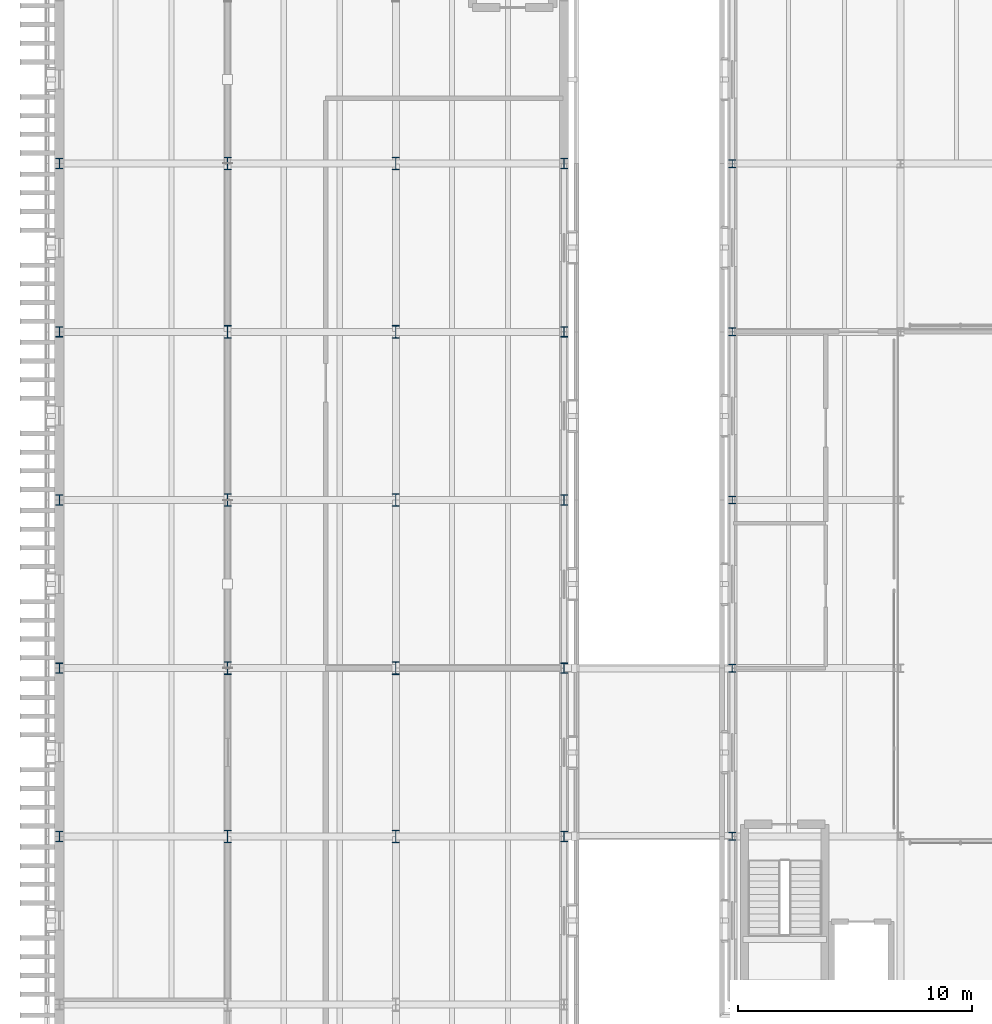
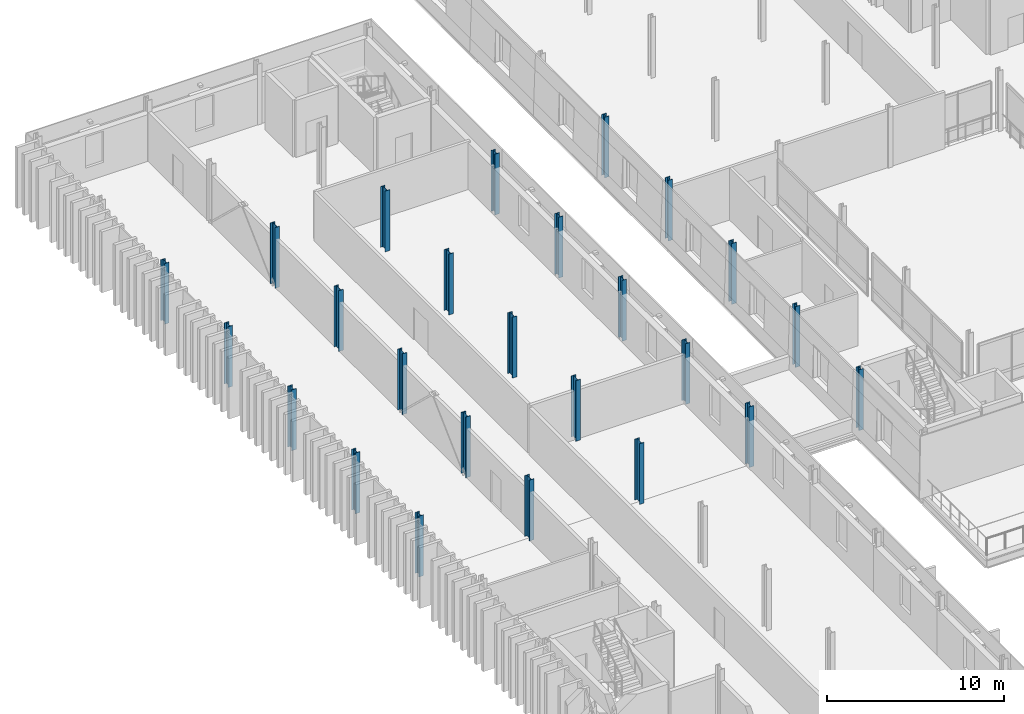
# One storey, part 5 of 91: 25 columns.
"""IFC4 building model written with IfcOpenShell, lengths in metres."""

from ifc_helpers import new_model, si_unit, direction, frame, origin, origin_2d, place, context, subcontext, project, spatial, i_section, extrude, material, material_profile, profile_set, type_object, element, save


model = new_model("IFC4")

# Units and contexts
model_context = context("Model", 3, precision=1e-05, world=origin(), true_north=direction((0.0, 1.0)))
body_context = subcontext(model_context, "Body", "Model", "MODEL_VIEW")
ifc_project = project(units=[si_unit("LENGTHUNIT", "METRE"), si_unit("AREAUNIT", "SQUARE_METRE"), si_unit("VOLUMEUNIT", "CUBIC_METRE"), si_unit("PLANEANGLEUNIT", "RADIAN"), si_unit("MASSUNIT", "GRAM", prefix="KILO")], contexts=[model_context])

# Site, building, storey
site_placement = place(None, origin())
site = spatial("IfcSite", under=ifc_project, at=site_placement, CompositionType="ELEMENT")
building_placement = place(site_placement, origin())
building = spatial("IfcBuilding", under=site, at=building_placement, Name="Narikvali Park Central Library", CompositionType="ELEMENT")
storey_placement = place(building_placement, frame((0.0, 0.0, 14.39990234375)))
storey = spatial("IfcBuildingStorey", under=building, at=storey_placement, Name="L03", CompositionType="ELEMENT", Elevation=14.39990234375)

# Columns
ifc_material = material(Name="Steel S355", Category="steel")
ifc_material_profile_1 = material_profile(ifc_material, i_section(OverallWidth=0.300048828125, OverallDepth=0.340087890625, WebThickness=0.011962890625, FlangeThickness=0.021484375, FilletRadius=0.027099609375, at=origin_2d()), Name="HEB 340")
ifc_profile_set_1 = profile_set([ifc_material_profile_1], Name="Steel S355")
column_type_1 = type_object("IfcColumnType", Name="Steel Column HEB340", PredefinedType="COLUMN", material=ifc_profile_set_1)
for number, where, z_axis, x_axis, name in (
    (1, (28.800048828125, 64.800048828125, 0.0), (0.0, 0.0, 1.0), (1.0, 0.0, 0.0), "V4 L03 Column (28.8,64.8)"),
    (2, (28.800048828125, 72.0, 0.0), (0.0, 0.0, 1.0), (1.0, 0.0, 0.0), "V4 L03 Column (28.8,72.0)"),
    (3, (28.800048828125, 79.199951171875, 0.0), (0.0, 0.0, 1.0), (1.0, 0.0, 0.0), "V4 L03 Column (28.8,79.2)"),
    (4, (28.800048828125, 86.39990234375, 0.0), (0.0, 0.0, 1.0), (1.0, 0.0, 0.0), "V4 L03 Column (28.8,86.4)"),
    (5, (28.800048828125, 93.60009765625, 0.0), (0.0, 0.0, 1.0), (1.0, 0.0, 0.0), "V4 L03 Column (28.8,93.6)"),
):
    element("IfcColumn", number, at=place(storey_placement, frame(where, z_axis=z_axis, x_axis=x_axis)), inside=storey, type_object=column_type_1, Name=name, PredefinedType="COLUMN", context=body_context, shape_type="SweptSolid", body=[
        extrude(i_section(OverallWidth=0.300048828125, OverallDepth=0.340087890625, WebThickness=0.011962890625, FlangeThickness=0.021484375, FilletRadius=0.027099609375, at=origin_2d()), origin(), (0.0, 0.0, 1.0), 4.2001953125),
    ])
ifc_material_profile_2 = material_profile(ifc_material, i_section(OverallWidth=0.300048828125, OverallDepth=0.449951171875, WebThickness=0.013916015625, FlangeThickness=0.02587890625, FilletRadius=0.027099609375, at=origin_2d()), Name="HEB 450")
ifc_profile_set_2 = profile_set([ifc_material_profile_2], Name="Steel S355")
column_type_2 = type_object("IfcColumnType", Name="Steel Column HEB450", PredefinedType="COLUMN", material=ifc_profile_set_2)
for number, where, z_axis, x_axis, name in (
    (6, (0.0, 64.800048828125, 0.0), (0.0, 0.0, 1.0), (1.0, 0.0, 0.0), "V5 L03 Column (0.0,64.8)"),
    (7, (0.0, 72.0, 0.0), (0.0, 0.0, 1.0), (1.0, 0.0, 0.0), "V5 L03 Column (0.0,72.0)"),
    (8, (0.0, 79.199951171875, 0.0), (0.0, 0.0, 1.0), (1.0, 0.0, 0.0), "V5 L03 Column (0.0,79.2)"),
    (9, (0.0, 86.39990234375, 0.0), (0.0, 0.0, 1.0), (1.0, 0.0, 0.0), "V5 L03 Column (0.0,86.4)"),
    (10, (0.0, 93.60009765625, 0.0), (0.0, 0.0, 1.0), (1.0, 0.0, 0.0), "V5 L03 Column (0.0,93.6)"),
    (11, (21.60009765625, 64.800048828125, 0.0), (0.0, 0.0, 1.0), (1.0, 0.0, 0.0), "V5 L03 Column (21.6,64.8)"),
    (12, (21.60009765625, 72.0, 0.0), (0.0, 0.0, 1.0), (1.0, 0.0, 0.0), "V5 L03 Column (21.6,72.0)"),
    (13, (21.60009765625, 79.199951171875, 0.0), (0.0, 0.0, 1.0), (1.0, 0.0, 0.0), "V5 L03 Column (21.6,79.2)"),
    (14, (21.60009765625, 86.39990234375, 0.0), (0.0, 0.0, 1.0), (1.0, 0.0, 0.0), "V5 L03 Column (21.6,86.4)"),
    (15, (21.60009765625, 93.60009765625, 0.0), (0.0, 0.0, 1.0), (1.0, 0.0, 0.0), "V5 L03 Column (21.6,93.6)"),
):
    element("IfcColumn", number, at=place(storey_placement, frame(where, z_axis=z_axis, x_axis=x_axis)), inside=storey, type_object=column_type_2, Name=name, PredefinedType="COLUMN", context=body_context, shape_type="SweptSolid", body=[
        extrude(i_section(OverallWidth=0.300048828125, OverallDepth=0.449951171875, WebThickness=0.013916015625, FlangeThickness=0.02587890625, FilletRadius=0.027099609375, at=origin_2d()), origin(), (0.0, 0.0, 1.0), 4.2001953125),
    ])
ifc_material_profile_3 = material_profile(ifc_material, i_section(OverallWidth=0.300048828125, OverallDepth=0.550048828125, WebThickness=0.014892578125, FlangeThickness=0.029052734375, FilletRadius=0.027099609375, at=origin_2d()), Name="HEB 550")
ifc_profile_set_3 = profile_set([ifc_material_profile_3], Name="Steel S355")
column_type_3 = type_object("IfcColumnType", Name="Upper Stack Column HEB550", PredefinedType="COLUMN", material=ifc_profile_set_3)
for number, where, z_axis, x_axis, name in (
    (16, (7.199951171875, 64.800048828125, 0.0), (0.0, 0.0, 1.0), (1.0, 0.0, 0.0), "V5 L03 Column (7.2,64.8)"),
    (17, (7.199951171875, 72.0, 0.0), (0.0, 0.0, 1.0), (1.0, 0.0, 0.0), "V5 L03 Column (7.2,72.0)"),
    (18, (7.199951171875, 79.199951171875, 0.0), (0.0, 0.0, 1.0), (1.0, 0.0, 0.0), "V5 L03 Column (7.2,79.2)"),
    (19, (7.199951171875, 86.39990234375, 0.0), (0.0, 0.0, 1.0), (1.0, 0.0, 0.0), "V5 L03 Column (7.2,86.4)"),
    (20, (7.199951171875, 93.60009765625, 0.0), (0.0, 0.0, 1.0), (1.0, 0.0, 0.0), "V5 L03 Column (7.2,93.6)"),
    (21, (14.39990234375, 64.800048828125, 0.0), (0.0, 0.0, 1.0), (1.0, 0.0, 0.0), "V5 L03 Column (14.4,64.8)"),
    (22, (14.39990234375, 72.0, 0.0), (0.0, 0.0, 1.0), (1.0, 0.0, 0.0), "V5 L03 Column (14.4,72.0)"),
    (23, (14.39990234375, 79.199951171875, 0.0), (0.0, 0.0, 1.0), (1.0, 0.0, 0.0), "V5 L03 Column (14.4,79.2)"),
    (24, (14.39990234375, 86.39990234375, 0.0), (0.0, 0.0, 1.0), (1.0, 0.0, 0.0), "V5 L03 Column (14.4,86.4)"),
    (25, (14.39990234375, 93.60009765625, 0.0), (0.0, 0.0, 1.0), (1.0, 0.0, 0.0), "V5 L03 Column (14.4,93.6)"),
):
    element("IfcColumn", number, at=place(storey_placement, frame(where, z_axis=z_axis, x_axis=x_axis)), inside=storey, type_object=column_type_3, Name=name, PredefinedType="COLUMN", context=body_context, shape_type="SweptSolid", body=[
        extrude(i_section(OverallWidth=0.300048828125, OverallDepth=0.550048828125, WebThickness=0.014892578125, FlangeThickness=0.029052734375, FilletRadius=0.027099609375, at=origin_2d()), origin(), (0.0, 0.0, 1.0), 4.2001953125),
    ])

save(model, "model.ifc")
